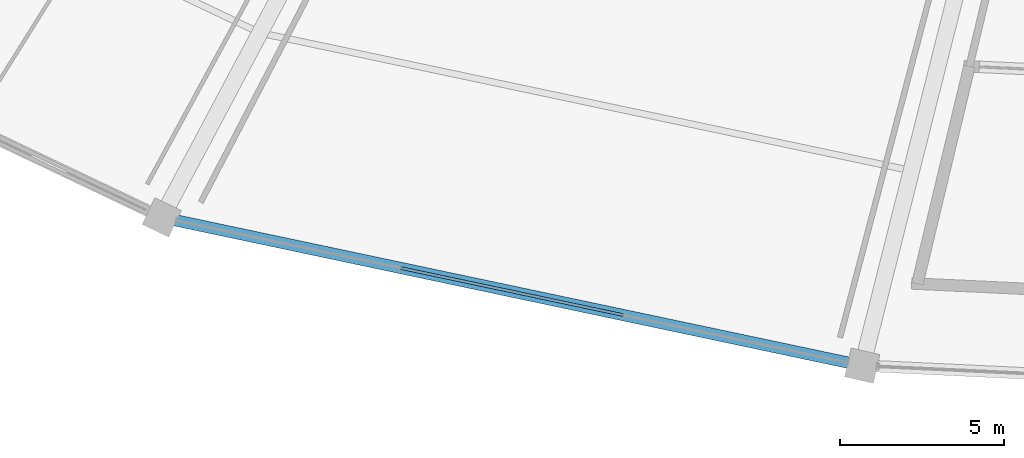
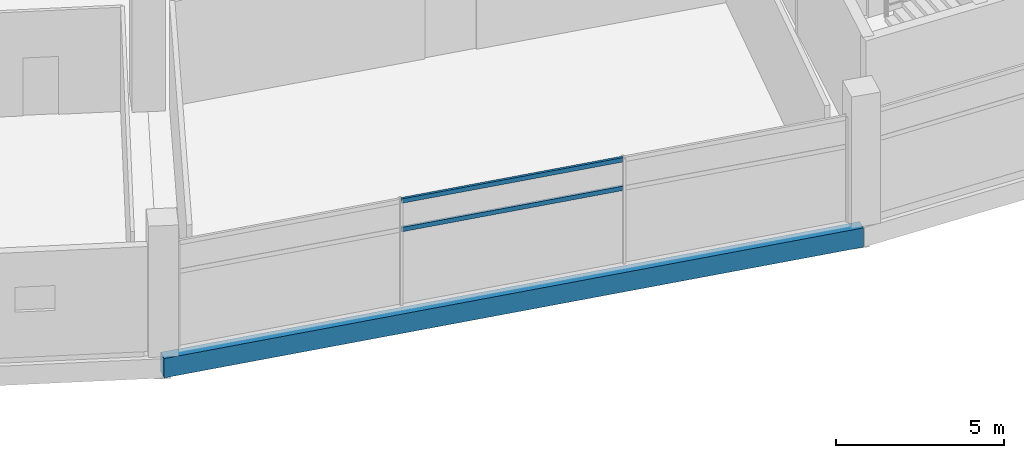
# One storey, part 14 of 171: 2 members, 1 beam, 1 element without a shape of its own.
"""IFC4 building model written with IfcOpenShell, lengths in metres."""

from ifc_helpers import new_model, si_unit, direction, frame, origin, origin_2d, place, context, subcontext, project, spatial, rectangle, hollow_rectangle, extrude, material, layer, layer_set, material_profile, profile_set, type_object, element, aggregate, save


model = new_model("IFC4")

# Units and contexts
model_context = context("Model", 3, precision=1e-05, world=origin(), true_north=direction((0.0, 1.0)))
body_context = subcontext(model_context, "Body", "Model", "MODEL_VIEW")
ifc_project = project(units=[si_unit("LENGTHUNIT", "METRE"), si_unit("AREAUNIT", "SQUARE_METRE"), si_unit("VOLUMEUNIT", "CUBIC_METRE"), si_unit("PLANEANGLEUNIT", "RADIAN"), si_unit("MASSUNIT", "GRAM", prefix="KILO")], contexts=[model_context])

# Site, building, storey
site_placement = place(None, origin())
site = spatial("IfcSite", under=ifc_project, at=site_placement, CompositionType="ELEMENT")
building_placement = place(site_placement, origin())
building = spatial("IfcBuilding", under=site, at=building_placement, Name="Kazemori Nagisa Stadium", CompositionType="ELEMENT")
storey_placement = place(building_placement, frame((0.0, 0.0, 15.639892578125)))
storey = spatial("IfcBuildingStorey", under=building, at=storey_placement, Name="L03", CompositionType="ELEMENT", Elevation=15.639892578125)

# Beam
ifc_material_1 = material(Name="Concrete C40/50 (Fc42)", Category="concrete")
ifc_material_profile_1 = material_profile(ifc_material_1, rectangle(XDim=0.35009765625, YDim=0.699951171875, at=origin_2d()), Name="RC-SP-350x700")
ifc_profile_set_1 = profile_set([ifc_material_profile_1], Name="Concrete C40/50 (Fc42)")
beam_type = type_object("IfcBeamType", Name="Beam_BS-RC350X700", PredefinedType="SPANDREL", material=ifc_profile_set_1)
beam_placement = place(storey_placement, frame((80.1953125, 21.53564453125, -0.60986328125), z_axis=(0.97834587432, -0.206976689994, 0.0), x_axis=(0.206976689994, 0.97834587432, 0.0)))
element("IfcBeam", 1, at=beam_placement, inside=storey, type_object=beam_type, Name="Ring girder BS-RC350X700 L03 R3-20", PredefinedType="SPANDREL", context=body_context, shape_type="SweptSolid", body=[
    extrude(rectangle(XDim=0.35009765625, YDim=0.699951171875, at=origin_2d()), origin(), (0.0, 0.0, 1.0), 21.85009765625),
])

# Curtain wall, members
ifc_material_2 = material(Name="Anodised aluminium 6063-T5", Category="aluminium")
ifc_layer = layer(ifc_material_2, 0.2099609375, Name="Anodised aluminium 6063-T5", Category="aluminium")
ifc_layer_set = layer_set([ifc_layer], Name="Anodised aluminium 6063-T5")
curtain_wall_type = type_object("IfcCurtainWallType", Name="CW_L03R3_105", PredefinedType="USERDEFINED", material=ifc_layer_set)
curtain_wall_placement = place(storey_placement, origin())
curtain_wall = element("IfcCurtainWall", 2, at=curtain_wall_placement, inside=storey, type_object=curtain_wall_type, Name="Unitised curtain wall CW-L03R3-105 L03", ObjectType="UNITISED CURTAIN WALL", PredefinedType="USERDEFINED")
ifc_material_3 = material(Name="Aluminium 6063-T5 anodised", Category="aluminium")
ifc_material_profile_2 = material_profile(ifc_material_3, hollow_rectangle(XDim=0.080078125, YDim=0.159912109375, WallThickness=0.00390625, at=origin_2d()), Name="ALU-TRAN-80x160x4")
ifc_profile_set_2 = profile_set([ifc_material_profile_2], Name="Aluminium 6063-T5 anodised")
member_type = type_object("IfcMemberType", Name="Transom_T02", PredefinedType="USERDEFINED", material=ifc_profile_set_2)
member_1_placement = place(storey_placement, frame((87.495361328125, 19.9912109375, 2.705322265625), z_axis=(0.978348879673, -0.20696248366, 0.0), x_axis=(0.20696248366, 0.978348879673, 0.0)))
member_1 = element("IfcMember", 3, at=member_1_placement, type_object=member_type, Name="Curtain wall transom CW-L03R3-105-T2-mid", ObjectType="TRANSOM", PredefinedType="USERDEFINED", context=body_context, shape_type="SweptSolid", body=[
    extrude(hollow_rectangle(XDim=0.080078125, YDim=0.159912109375, WallThickness=0.00390625, at=origin_2d()), origin(), (0.0, 0.0, 1.0), 6.9267578125),
])
member_2_placement = place(storey_placement, frame((87.495361328125, 19.9912109375, 3.739990234375), z_axis=(0.978348879673, -0.20696248366, 0.0), x_axis=(0.20696248366, 0.978348879673, 0.0)))
member_2 = element("IfcMember", 4, at=member_2_placement, type_object=member_type, Name="Curtain wall transom CW-L03R3-105-T2-head", ObjectType="TRANSOM", PredefinedType="USERDEFINED", context=body_context, shape_type="SweptSolid", body=[
    extrude(hollow_rectangle(XDim=0.080078125, YDim=0.159912109375, WallThickness=0.00390625, at=origin_2d()), origin(), (0.0, 0.0, 1.0), 6.9267578125),
])
aggregate(curtain_wall, [member_1, member_2])

save(model, "model.ifc")
